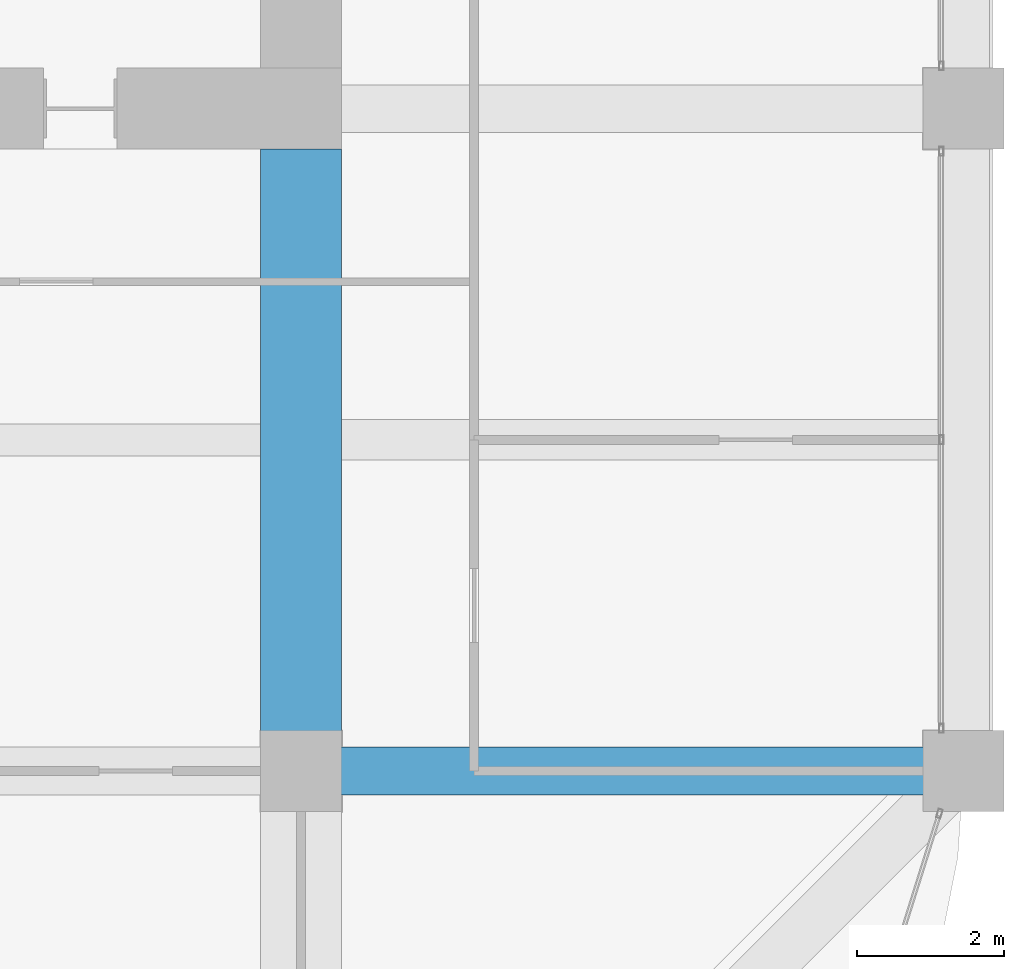
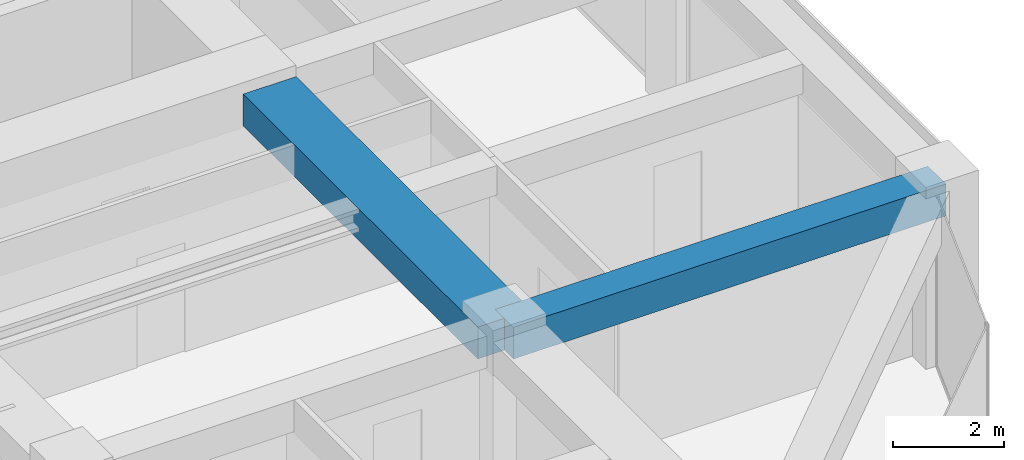
# One storey, part 21 of 45: 2 beams.
"""IFC4 building model written with IfcOpenShell, lengths in metres."""

import ifcopenshell
import ifcopenshell.guid

model = None  # the IFC model being written
_history = None  # IfcOwnerHistory: only IFC2X3 demands one
_inside = {}  # id of a spatial element -> (the spatial element, [elements in it])
_under = {}  # id of a project, library or spatial element -> (it, [spatial elements below it])
_declared = {}  # id of a project -> (the project, [libraries it declares])
_typed = {}  # id of a type object -> (the type object, [elements of that type])
_made_of = {}  # id of a material, layer set ... -> (it, [elements and type objects made of it])


def new_model(schema):
    """Start an empty IFC model of exactly this schema.

    Asked for "IFC4X3", IfcOpenShell would pick the latest addendum, in which some entities
    have other attributes; the version numbers below select the first issue.
    IFC2X3 requires an IfcOwnerHistory on every rooted entity: one is made here for all.
    """
    global model, _history
    if schema == "IFC4X3":
        model = ifcopenshell.file(schema_version=(4, 3, 0, 0))
    else:
        model = ifcopenshell.file(schema=schema)
    _inside.clear()
    _under.clear()
    _declared.clear()
    _typed.clear()
    _made_of.clear()
    _history = None
    if model.schema == "IFC2X3":
        org = make("IfcOrganization", Name="unknown")
        user = make(
            "IfcPersonAndOrganization",
            ThePerson=make("IfcPerson", FamilyName="unknown"),
            TheOrganization=org,
        )
        app = make(
            "IfcApplication",
            ApplicationDeveloper=org,
            Version="unknown",
            ApplicationFullName="unknown",
            ApplicationIdentifier="unknown",
        )
        _history = make(
            "IfcOwnerHistory",
            OwningUser=user,
            OwningApplication=app,
            ChangeAction="ADDED",
            CreationDate=0,
        )
    return model


def make(cls, **values):
    """One entity of the class cls with the attributes given. An attribute that is None is left unset."""
    return model.create_entity(
        cls, **{name: value for name, value in values.items() if value is not None}
    )


def rooted(cls, **values):
    """An entity with a GlobalId (a new one), such as an element, a storey or a relation."""
    return make(cls, GlobalId=ifcopenshell.guid.new(), OwnerHistory=_history, **values)


def si_unit(unit_type, name, prefix=None):
    """IfcSIUnit, for example si_unit("LENGTHUNIT", "METRE", prefix="MILLI")."""
    return make("IfcSIUnit", UnitType=unit_type, Prefix=prefix, Name=name)


def assignment(units):
    """IfcUnitAssignment: the units of a project."""
    return None if units is None else make("IfcUnitAssignment", Units=units)


def point(xyz):
    """IfcCartesianPoint."""
    return None if xyz is None else make("IfcCartesianPoint", Coordinates=xyz)


def direction(xyz):
    """IfcDirection."""
    return None if xyz is None else make("IfcDirection", DirectionRatios=xyz)


def frame(location, z_axis=None, x_axis=None):
    """IfcAxis2Placement3D, a coordinate frame: its origin and axes. An axis left out is left unset."""
    return make(
        "IfcAxis2Placement3D",
        Location=point(location),
        Axis=direction(z_axis),
        RefDirection=direction(x_axis),
    )


def frame_2d(location, x_axis=None):
    """IfcAxis2Placement2D, a coordinate frame in the plane: its origin and x axis."""
    return make(
        "IfcAxis2Placement2D", Location=point(location), RefDirection=direction(x_axis)
    )


def origin():
    """The frame at (0, 0, 0) with its axes left unset."""
    return frame((0.0, 0.0, 0.0))


def origin_2d():
    """The frame at (0, 0) in the plane with its x axis left unset."""
    return frame_2d((0.0, 0.0))


def place(relative_to, where):
    """IfcLocalPlacement: puts the frame where relative to a parent placement (None: the world)."""
    return make(
        "IfcLocalPlacement", PlacementRelTo=relative_to, RelativePlacement=where
    )


def context(
    kind, dimensions, precision=None, world=None, true_north=None, identifier=None
):
    """IfcGeometricRepresentationContext, for example the 3D "Model" context."""
    return make(
        "IfcGeometricRepresentationContext",
        ContextIdentifier=identifier,
        ContextType=kind,
        CoordinateSpaceDimension=dimensions,
        Precision=precision,
        WorldCoordinateSystem=world,
        TrueNorth=true_north,
    )


def subcontext(parent, identifier, kind, view, scale=None):
    """IfcGeometricRepresentationSubContext, for example "Body" below "Model"."""
    return make(
        "IfcGeometricRepresentationSubContext",
        ContextIdentifier=identifier,
        ContextType=kind,
        ParentContext=parent,
        TargetScale=scale,
        TargetView=view,
    )


def project(units=None, contexts=None):
    """IfcProject with its units and contexts."""
    return rooted(
        "IfcProject",
        Name="project",
        RepresentationContexts=contexts,
        UnitsInContext=assignment(units),
    )


def spatial(cls, under=None, at=None, **own):
    """A site, building, storey or space (cls), placed at a placement, below another one or the project."""
    s = rooted(cls, ObjectPlacement=at, **own)
    if under is not None:
        _under.setdefault(under.id(), (under, []))[1].append(s)
    return s


def profile(cls, at=None, kind="AREA", **sizes):
    """A parametric profile (cls). Its sizes go by their IFC names, for example OverallWidth=200.0."""
    return make(cls, ProfileType=kind, Position=at, **sizes)


def rectangle(**sizes):
    """IfcRectangleProfileDef."""
    return profile("IfcRectangleProfileDef", **sizes)


def extrude(swept, where, along, depth):
    """IfcExtrudedAreaSolid: the profile swept, set in the frame where, extruded along a direction by depth."""
    return make(
        "IfcExtrudedAreaSolid",
        SweptArea=swept,
        Position=where,
        ExtrudedDirection=direction(along),
        Depth=depth,
    )


def shape(context_of_items, identifier, shape_type, items):
    """IfcShapeRepresentation: the items that make up one representation, for example the "Body"."""
    return make(
        "IfcShapeRepresentation",
        ContextOfItems=context_of_items,
        RepresentationIdentifier=identifier,
        RepresentationType=shape_type,
        Items=items,
    )


def material(Name=None, Category=None):
    """IfcMaterial."""
    return make("IfcMaterial", Name=Name, Category=Category)


def material_profile(
    of_material, cross_section, Name=None, Category=None, Priority=None
):
    """IfcMaterialProfile: a cross section and its material."""
    return make(
        "IfcMaterialProfile",
        Name=Name,
        Material=of_material,
        Profile=cross_section,
        Priority=Priority,
        Category=Category,
    )


def profile_set(profiles, Name=None, composite=None):
    """IfcMaterialProfileSet."""
    return make(
        "IfcMaterialProfileSet",
        Name=Name,
        MaterialProfiles=profiles,
        CompositeProfile=composite,
    )


def made_of(thing, what):
    """Note that an element or type object is made of a material, layer set ...; save() writes the relation."""
    if what is not None:
        _made_of.setdefault(what.id(), (what, []))[1].append(thing)
    return thing


def type_object(cls, material=None, **own):
    """A type object (cls), such as IfcWallType, which elements share."""
    return made_of(rooted(cls, **own), material)


def element(
    cls,
    number,
    at=None,
    inside=None,
    cuts=None,
    type_object=None,
    material=None,
    context=None,
    identifier="Body",
    shape_type=None,
    held_by="IfcProductDefinitionShape",
    body=None,
    shapes=None,
    **own,
):
    """One element of the class cls, such as IfcWall. Its Tag is "e" and its number.

    at: its placement. inside: the storey or other place that contains it. cuts: it is an
    opening in that element (IfcRelVoidsElement). A single representation is given by context,
    identifier, shape_type and body (its items); several are given by shapes. held_by: the class
    of the entity that holds the representations. save() writes the other relations.
    """
    e = rooted(cls, Tag="e%d" % number, ObjectPlacement=at, **own)
    if body is not None:
        shapes = [shape(context, identifier, shape_type, body)]
    if shapes is not None:
        e.Representation = make(held_by, Representations=shapes)
    if inside is not None:
        _inside.setdefault(inside.id(), (inside, []))[1].append(e)
    if cuts is not None:
        rooted(
            "IfcRelVoidsElement", RelatingBuildingElement=cuts, RelatedOpeningElement=e
        )
    if type_object is not None:
        _typed.setdefault(type_object.id(), (type_object, []))[1].append(e)
    return made_of(e, material)


def aggregate(whole, parts):
    """IfcRelAggregates: a whole, such as a stair, and the parts it consists of."""
    return rooted("IfcRelAggregates", RelatingObject=whole, RelatedObjects=parts)


def save(model, path):
    """Write the relations noted so far, then the file.

    IfcRelAggregates (storeys below a building ...), IfcRelContainedInSpatialStructure (elements
    in a storey), IfcRelDefinesByType, IfcRelAssociatesMaterial and IfcRelDeclares: one each for
    every whole, place, type object, material and project.
    """
    for whole, parts in _under.values():
        aggregate(whole, parts)
    for where, things in _inside.values():
        rooted(
            "IfcRelContainedInSpatialStructure",
            RelatedElements=things,
            RelatingStructure=where,
        )
    for kind, things in _typed.values():
        rooted("IfcRelDefinesByType", RelatedObjects=things, RelatingType=kind)
    for what, things in _made_of.values():
        rooted("IfcRelAssociatesMaterial", RelatedObjects=things, RelatingMaterial=what)
    for by, libraries in _declared.values():
        rooted("IfcRelDeclares", RelatingContext=by, RelatedDefinitions=libraries)
    model.write(path)


model = new_model("IFC4")

# Units and contexts
model_context = context("Model", 3, precision=1e-05, world=origin(), true_north=direction((0.0, 1.0)))
body_context = subcontext(model_context, "Body", "Model", "MODEL_VIEW")
ifc_project = project(units=[si_unit("LENGTHUNIT", "METRE"), si_unit("AREAUNIT", "SQUARE_METRE"), si_unit("VOLUMEUNIT", "CUBIC_METRE"), si_unit("PLANEANGLEUNIT", "RADIAN"), si_unit("MASSUNIT", "GRAM", prefix="KILO")], contexts=[model_context])

# Site, building, storey
site_placement = place(None, origin())
site = spatial("IfcSite", under=ifc_project, at=site_placement, CompositionType="ELEMENT")
building_placement = place(site_placement, origin())
building = spatial("IfcBuilding", under=site, at=building_placement, Name="Zorevar Civic Tower", CompositionType="ELEMENT")
storey_placement = place(building_placement, frame((0.0, 0.0, 303.39990234375)))
storey = spatial("IfcBuildingStorey", under=building, at=storey_placement, Name="L74", CompositionType="ELEMENT", Elevation=303.39990234375)

# Beams
ifc_material_1 = material(Name="Concrete C50/60", Category="concrete")
ifc_material_profile_1 = material_profile(ifc_material_1, rectangle(XDim=1.10009765625, YDim=0.699951171875, at=origin_2d()), Name="RC 1100x700")
ifc_profile_set_1 = profile_set([ifc_material_profile_1], Name="Concrete C50/60")
beam_type_1 = type_object("IfcBeamType", Name="Beam RC 1100x700", PredefinedType="BEAM", material=ifc_profile_set_1)
beam_1_placement = place(storey_placement, frame((45.0, 9.0, 3.400146484375), z_axis=(0.0, 1.0, 0.0), x_axis=(-1.0, 0.0, 0.0)))
element("IfcBeam", 1, at=beam_1_placement, inside=storey, type_object=beam_type_1, Name="Girder L75", PredefinedType="BEAM", context=body_context, shape_type="SweptSolid", body=[
    extrude(rectangle(XDim=1.10009765625, YDim=0.699951171875, at=origin_2d()), origin(), (0.0, 0.0, 1.0), 8.449951171875),
])
ifc_material_2 = material(Name="Concrete C50/60", Category="concrete")
ifc_material_profile_2 = material_profile(ifc_material_2, rectangle(XDim=0.64990234375, YDim=0.699951171875, at=origin_2d()), Name="RC 650x700")
ifc_profile_set_2 = profile_set([ifc_material_profile_2], Name="Concrete C50/60")
beam_type_2 = type_object("IfcBeamType", Name="Beam RC 650x700", PredefinedType="BEAM", material=ifc_profile_set_2)
beam_2_placement = place(storey_placement, frame((45.0, 9.0, 3.400146484375), z_axis=(1.0, 0.0, 0.0), x_axis=(0.0, 1.0, 0.0)))
element("IfcBeam", 2, at=beam_2_placement, inside=storey, type_object=beam_type_2, Name="Girder L75", PredefinedType="BEAM", context=body_context, shape_type="SweptSolid", body=[
    extrude(rectangle(XDim=0.64990234375, YDim=0.699951171875, at=origin_2d()), origin(), (0.0, 0.0, 1.0), 9.0),
])

save(model, "model.ifc")
